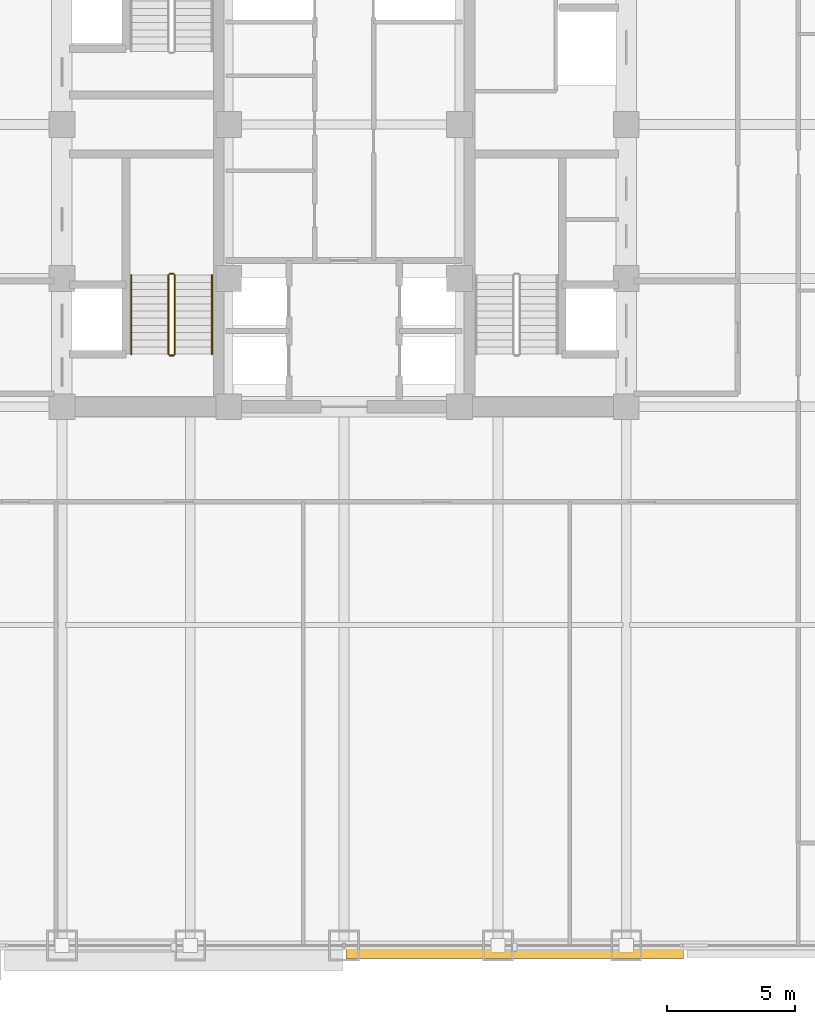
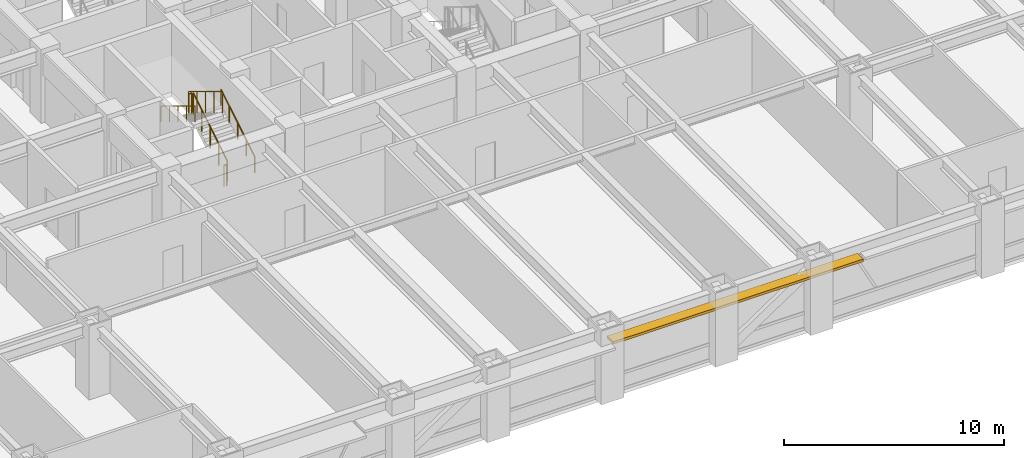
# One storey, part 29 of 32: 6 railings, 1 shading device.
"""IFC4 building model written with IfcOpenShell, lengths in metres."""

from ifc_helpers import new_model, si_unit, direction, frame, origin, origin_2d, place, context, subcontext, project, spatial, rectangle, circle, extrude, source, transform, mapped, material, layer, layer_set, type_object, element, save


model = new_model("IFC4")

# Units and contexts
model_context = context("Model", 3, precision=1e-05, world=origin(), true_north=direction((0.0, 1.0)))
body_context = subcontext(model_context, "Body", "Model", "MODEL_VIEW")
ifc_project = project(units=[si_unit("LENGTHUNIT", "METRE"), si_unit("AREAUNIT", "SQUARE_METRE"), si_unit("VOLUMEUNIT", "CUBIC_METRE"), si_unit("PLANEANGLEUNIT", "RADIAN"), si_unit("MASSUNIT", "GRAM", prefix="KILO")], contexts=[model_context])

# Site, building, storey
site_placement = place(None, origin())
site = spatial("IfcSite", under=ifc_project, at=site_placement, CompositionType="ELEMENT")
building_placement = place(site_placement, origin())
building = spatial("IfcBuilding", under=site, at=building_placement, Name="Khorayat Bourse Tower", CompositionType="ELEMENT")
storey_placement = place(building_placement, frame((0.0, 0.0, 132.39990234375)))
storey = spatial("IfcBuildingStorey", under=building, at=storey_placement, Name="L30", CompositionType="ELEMENT", Elevation=132.39990234375)

# Shading device
ifc_material_1 = material(Name="Precast concrete C45/55", Category="concrete")
ifc_layer = layer(ifc_material_1, 0.139892578125)
ifc_layer_set = layer_set([ifc_layer], Name="Precast concrete C45/55")
shading_device_type = type_object("IfcShadingDeviceType", Name="SHD-WAVE-TRAY-B", PredefinedType="USERDEFINED", material=ifc_layer_set)
shared_shape_1 = source(origin(), body_context, "Body", "SweptSolid", [
    extrude(rectangle(XDim=13.159912109375, YDim=0.54638671875, at=origin_2d()), origin(), (0.0, 0.0, 1.0), 0.139892578125),
])
shading_device_placement = place(storey_placement, frame((6.64990234375, -32.253173828125, 3.09033203125), z_axis=(0.0, 0.0, 1.0), x_axis=(1.0, 0.0, 0.0)))
element("IfcShadingDevice", 1, at=shading_device_placement, inside=storey, type_object=shading_device_type, Name="L30 Sinusoidal Wave Sunshade Tray S-3", ObjectType="SUNSHADE", PredefinedType="USERDEFINED", context=body_context, shape_type="MappedRepresentation", body=[
    mapped(shared_shape_1, transform((0.0, 0.0, 0.0), scale=1.0)),
])

# Railings
ifc_material_2 = material(Name="Powder-coated steel balustrade", Category="steel")
railing_type_1 = type_object("IfcRailingType", Name="RLG-GUARD-1200", PredefinedType="GUARDRAIL", material=ifc_material_2)
shared_shape_2 = source(origin(), body_context, "Body", "SweptSolid", [
    extrude(circle(Radius=0.02392578125, at=origin_2d()), frame((0.0, 0.0, 1.17578125), z_axis=(-1.0, 0.0, 0.0), x_axis=(0.0, -1.0, 0.0)), (0.0, 0.0, 1.0), 0.150146484375),
    extrude(circle(Radius=0.02099609375, at=origin_2d()), origin(), (0.0, 0.0, 1.0), 1.15185546875),
    extrude(circle(Radius=0.02099609375, at=origin_2d()), frame((-0.150146484375, 0.0, 0.0)), (0.0, 0.0, 1.0), 1.15185546875),
])
for number, where, name in (
    (2, (-6.64990234375, -5.820068359375, 2.050048828125), "L30 ST-1 stair guard 2"),
    (3, (-6.64990234375, -9.0, 0.0), "L30 ST-1 stair guard 4"),
):
    element("IfcRailing", number, at=place(storey_placement, frame(where)), inside=storey, type_object=railing_type_1, Name=name, PredefinedType="GUARDRAIL", context=body_context, shape_type="MappedRepresentation", body=[
        mapped(shared_shape_2, transform((0.0, 0.0, 0.0), scale=1.0)),
    ])
shared_shape_3 = source(origin(), body_context, "Body", "SweptSolid", [
    extrude(circle(Radius=0.02392578125, at=origin_2d()), frame((0.0, 0.0, 1.17578125), z_axis=(0.0, 0.853647949592, 0.520850437417), x_axis=(-1.0, 0.0, 0.0)), (0.0, 0.0, 1.0), 3.60791015625),
    extrude(circle(Radius=0.02099609375, at=origin_2d()), origin(), (0.0, 0.0, 1.0), 1.15185546875),
    extrude(circle(Radius=0.02099609375, at=origin_2d()), frame((0.0, 0.77001953125, 0.4697265625)), (0.0, 0.0, 1.0), 1.15185546875),
    extrude(circle(Radius=0.02099609375, at=origin_2d()), frame((0.0, 1.5400390625, 0.939453125)), (0.0, 0.0, 1.0), 1.15185546875),
    extrude(circle(Radius=0.02099609375, at=origin_2d()), frame((0.0, 2.309814453125, 1.409423828125)), (0.0, 0.0, 1.0), 1.15185546875),
    extrude(circle(Radius=0.02099609375, at=origin_2d()), frame((0.0, 3.079833984375, 1.879150390625)), (0.0, 0.0, 1.0), 1.15185546875),
])
railing_1_placement = place(storey_placement, frame((-6.60009765625, -8.949951171875, 0.1708984375)))
element("IfcRailing", 4, at=railing_1_placement, inside=storey, type_object=railing_type_1, Name="L30 ST-1 stair guard 1", PredefinedType="GUARDRAIL", context=body_context, shape_type="MappedRepresentation", body=[
    mapped(shared_shape_3, transform((0.0, 0.0, 0.0), scale=1.0)),
])
shared_shape_4 = source(origin(), body_context, "Body", "SweptSolid", [
    extrude(circle(Radius=0.02392578125, at=origin_2d()), frame((0.0, 0.0, 1.17578125), z_axis=(0.0, -0.853647949592, 0.520850437417), x_axis=(1.0, 0.0, 0.0)), (0.0, 0.0, 1.0), 3.60791015625),
    extrude(circle(Radius=0.02099609375, at=origin_2d()), origin(), (0.0, 0.0, 1.0), 1.15185546875),
    extrude(circle(Radius=0.02099609375, at=origin_2d()), frame((0.0, -0.77001953125, 0.4697265625)), (0.0, 0.0, 1.0), 1.15185546875),
    extrude(circle(Radius=0.02099609375, at=origin_2d()), frame((0.0, -1.5400390625, 0.939453125)), (0.0, 0.0, 1.0), 1.15185546875),
    extrude(circle(Radius=0.02099609375, at=origin_2d()), frame((0.0, -2.309814453125, 1.409423828125)), (0.0, 0.0, 1.0), 1.15185546875),
    extrude(circle(Radius=0.02099609375, at=origin_2d()), frame((0.0, -3.079833984375, 1.879150390625)), (0.0, 0.0, 1.0), 1.15185546875),
])
railing_2_placement = place(storey_placement, frame((-6.85009765625, -5.8701171875, 2.220947265625)))
element("IfcRailing", 5, at=railing_2_placement, inside=storey, type_object=railing_type_1, Name="L30 ST-1 stair guard 3", PredefinedType="GUARDRAIL", context=body_context, shape_type="MappedRepresentation", body=[
    mapped(shared_shape_4, transform((0.0, 0.0, 0.0), scale=1.0)),
])
ifc_material_3 = material(Name="Brushed bronze stainless-steel handrail", Category="steel")
railing_type_2 = type_object("IfcRailingType", Name="RLG-HAND-900", PredefinedType="HANDRAIL", material=ifc_material_3)
shared_shape_5 = source(origin(), body_context, "Body", "SweptSolid", [
    extrude(circle(Radius=0.02392578125, at=origin_2d()), frame((0.0, 0.0, 0.8759765625), z_axis=(0.0, 0.853647949592, 0.520850437417), x_axis=(-1.0, 0.0, 0.0)), (0.0, 0.0, 1.0), 3.60791015625),
    extrude(circle(Radius=0.02099609375, at=origin_2d()), origin(), (0.0, 0.0, 1.0), 0.851806640625),
    extrude(circle(Radius=0.02099609375, at=origin_2d()), frame((0.0, 0.77001953125, 0.4697265625)), (0.0, 0.0, 1.0), 0.851806640625),
    extrude(circle(Radius=0.02099609375, at=origin_2d()), frame((0.0, 1.5400390625, 0.939453125)), (0.0, 0.0, 1.0), 0.851806640625),
    extrude(circle(Radius=0.02099609375, at=origin_2d()), frame((0.0, 2.309814453125, 1.409423828125)), (0.0, 0.0, 1.0), 0.851806640625),
    extrude(circle(Radius=0.02099609375, at=origin_2d()), frame((0.0, 3.079833984375, 1.879150390625)), (0.0, 0.0, 1.0), 0.851806640625),
])
railing_3_placement = place(storey_placement, frame((-5.14990234375, -8.949951171875, 0.1708984375)))
element("IfcRailing", 6, at=railing_3_placement, inside=storey, type_object=railing_type_2, Name="L30 ST-1 stair handrail 1", PredefinedType="HANDRAIL", context=body_context, shape_type="MappedRepresentation", body=[
    mapped(shared_shape_5, transform((0.0, 0.0, 0.0), scale=1.0)),
])
shared_shape_6 = source(origin(), body_context, "Body", "SweptSolid", [
    extrude(circle(Radius=0.02392578125, at=origin_2d()), frame((0.0, 0.0, 0.8759765625), z_axis=(0.0, -0.853647949592, 0.520850437417), x_axis=(1.0, 0.0, 0.0)), (0.0, 0.0, 1.0), 3.60791015625),
    extrude(circle(Radius=0.02099609375, at=origin_2d()), origin(), (0.0, 0.0, 1.0), 0.851806640625),
    extrude(circle(Radius=0.02099609375, at=origin_2d()), frame((0.0, -0.77001953125, 0.4697265625)), (0.0, 0.0, 1.0), 0.851806640625),
    extrude(circle(Radius=0.02099609375, at=origin_2d()), frame((0.0, -1.5400390625, 0.939453125)), (0.0, 0.0, 1.0), 0.851806640625),
    extrude(circle(Radius=0.02099609375, at=origin_2d()), frame((0.0, -2.309814453125, 1.409423828125)), (0.0, 0.0, 1.0), 0.851806640625),
    extrude(circle(Radius=0.02099609375, at=origin_2d()), frame((0.0, -3.079833984375, 1.879150390625)), (0.0, 0.0, 1.0), 0.851806640625),
])
railing_4_placement = place(storey_placement, frame((-8.300048828125, -5.8701171875, 2.220947265625)))
element("IfcRailing", 7, at=railing_4_placement, inside=storey, type_object=railing_type_2, Name="L30 ST-1 stair handrail 2", PredefinedType="HANDRAIL", context=body_context, shape_type="MappedRepresentation", body=[
    mapped(shared_shape_6, transform((0.0, 0.0, 0.0), scale=1.0)),
])

save(model, "model.ifc")
